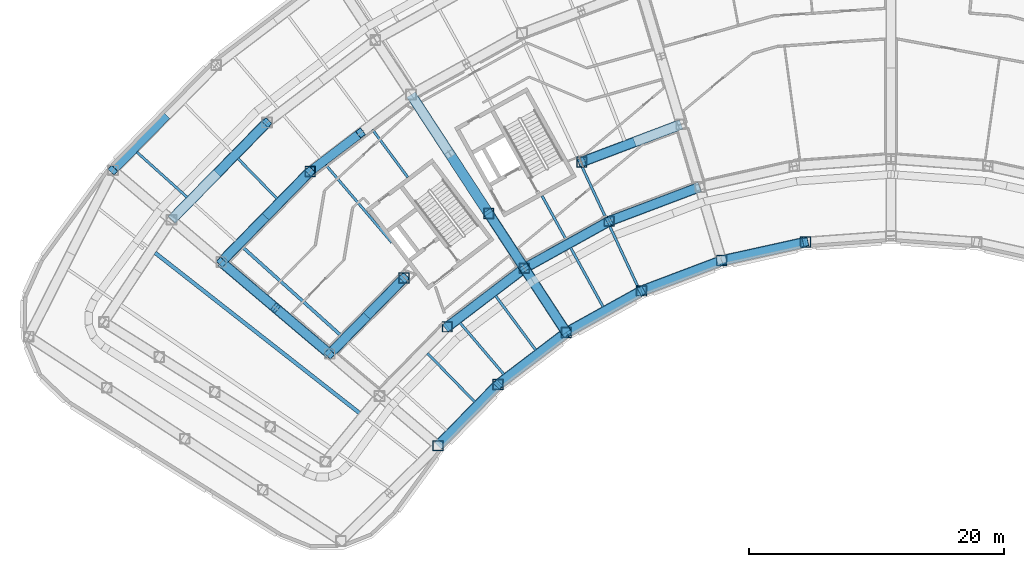
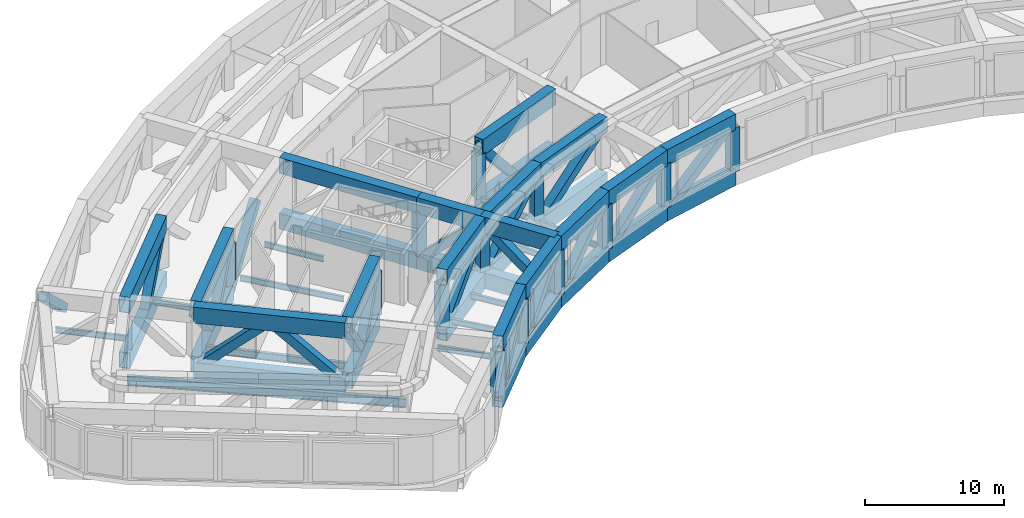
# One storey, part 2 of 30: 45 beams, 33 members.
"""IFC4 building model written with IfcOpenShell, lengths in metres."""

from ifc_helpers import new_model, si_unit, direction, frame, origin, origin_2d, place, context, subcontext, project, spatial, hollow_rectangle, i_section, extrude, material, material_profile, profile_set, type_object, element, save


model = new_model("IFC4")

# Units and contexts
model_context = context("Model", 3, precision=1e-05, world=origin(), true_north=direction((0.0, 1.0)))
body_context = subcontext(model_context, "Body", "Model", "MODEL_VIEW")
ifc_project = project(units=[si_unit("LENGTHUNIT", "METRE"), si_unit("AREAUNIT", "SQUARE_METRE"), si_unit("VOLUMEUNIT", "CUBIC_METRE"), si_unit("PLANEANGLEUNIT", "RADIAN"), si_unit("MASSUNIT", "GRAM", prefix="KILO")], contexts=[model_context])

# Site, building, storey
site_placement = place(None, origin())
site = spatial("IfcSite", under=ifc_project, at=site_placement, CompositionType="ELEMENT")
building_placement = place(site_placement, origin())
building = spatial("IfcBuilding", under=site, at=building_placement, Name="Tuul Gate Civic Tower", CompositionType="ELEMENT")
storey_placement = place(building_placement, frame((0.0, 0.0, 26.699951171875)))
storey = spatial("IfcBuildingStorey", under=building, at=storey_placement, Name="Plant and refuge floor 1", CompositionType="ELEMENT", Elevation=26.699951171875)

# Beams
ifc_material_1 = material(Name="Steel S355", Category="steel")
ifc_material_profile_1 = material_profile(ifc_material_1, i_section(OverallWidth=0.199951171875, OverallDepth=0.5, WebThickness=0.010009765625, FlangeThickness=0.01611328125, at=origin_2d()), Name="PG500x200x10x16")
ifc_profile_set_1 = profile_set([ifc_material_profile_1], Name="Steel S355")
beam_type_1 = type_object("IfcBeamType", Name="STR-FLOOR BEAM-PG500x200x10x16", PredefinedType="BEAM", material=ifc_profile_set_1)
beam_1_placement = place(storey_placement, frame((-19.80224609375, -17.518310546875, -0.64990234375), z_axis=(-0.42248795167, 0.906368540216, 0.0), x_axis=(-0.906368540216, -0.42248795167, 0.0)))
element("IfcBeam", 1, at=beam_1_placement, inside=storey, type_object=beam_type_1, Name="Floor beam", PredefinedType="BEAM", context=body_context, shape_type="SweptSolid", body=[
    extrude(i_section(OverallWidth=0.199951171875, OverallDepth=0.5, WebThickness=0.010009765625, FlangeThickness=0.01611328125, at=origin_2d()), origin(), (0.0, 0.0, 1.0), 5.31298828125),
])
beam_2_placement = place(storey_placement, frame((-22.34326171875, -12.06689453125, -0.64990234375), z_axis=(-0.422527951909, 0.906349893725, 0.0), x_axis=(-0.906349893725, -0.422527951909, 0.0)))
element("IfcBeam", 2, at=beam_2_placement, inside=storey, type_object=beam_type_1, Name="Floor beam", PredefinedType="BEAM", context=body_context, shape_type="SweptSolid", body=[
    extrude(i_section(OverallWidth=0.199951171875, OverallDepth=0.5, WebThickness=0.010009765625, FlangeThickness=0.01611328125, at=origin_2d()), origin(), (0.0, 0.0, 1.0), 4.44921875),
])
beam_3_placement = place(storey_placement, frame((-22.551025390625, -19.042236328125, -0.64990234375), z_axis=(-0.482350167073, 0.875978490789, 0.0), x_axis=(-0.875978490789, -0.482350167073, 0.0)))
element("IfcBeam", 3, at=beam_3_placement, inside=storey, type_object=beam_type_1, Name="Floor beam", PredefinedType="BEAM", context=body_context, shape_type="SweptSolid", body=[
    extrude(i_section(OverallWidth=0.199951171875, OverallDepth=0.5, WebThickness=0.010009765625, FlangeThickness=0.01611328125, at=origin_2d()), origin(), (0.0, 0.0, 1.0), 5.2998046875),
])
beam_4_placement = place(storey_placement, frame((-25.44482421875, -13.786376953125, -0.64990234375), z_axis=(-0.482326547093, 0.875991496517, 0.0), x_axis=(-0.875991496517, -0.482326547093, 0.0)))
element("IfcBeam", 4, at=beam_4_placement, inside=storey, type_object=beam_type_1, Name="Floor beam", PredefinedType="BEAM", context=body_context, shape_type="SweptSolid", body=[
    extrude(i_section(OverallWidth=0.199951171875, OverallDepth=0.5, WebThickness=0.010009765625, FlangeThickness=0.01611328125, at=origin_2d()), origin(), (0.0, 0.0, 1.0), 3.929443359375),
])
beam_5_placement = place(storey_placement, frame((-27.8310546875, -22.42529296875, -0.64990234375), z_axis=(-0.595176880251, 0.803594724481, 0.0), x_axis=(-0.803594724481, -0.595176880251, 0.0)))
element("IfcBeam", 5, at=beam_5_placement, inside=storey, type_object=beam_type_1, Name="Floor beam", PredefinedType="BEAM", context=body_context, shape_type="SweptSolid", body=[
    extrude(i_section(OverallWidth=0.199951171875, OverallDepth=0.5, WebThickness=0.010009765625, FlangeThickness=0.01611328125, at=origin_2d()), origin(), (0.0, 0.0, 1.0), 5.300537109375),
])
beam_6_placement = place(storey_placement, frame((-37.86181640625, -8.882568359375, -0.64990234375), z_axis=(-0.595199920829, 0.803577659125, 0.0), x_axis=(-0.803577659125, -0.595199920829, 0.0)))
element("IfcBeam", 6, at=beam_6_placement, inside=storey, type_object=beam_type_1, Name="Floor beam", PredefinedType="BEAM", context=body_context, shape_type="SweptSolid", body=[
    extrude(i_section(OverallWidth=0.199951171875, OverallDepth=0.5, WebThickness=0.010009765625, FlangeThickness=0.01611328125, at=origin_2d()), origin(), (0.0, 0.0, 1.0), 4.64892578125),
])
beam_7_placement = place(storey_placement, frame((-30.329345703125, -24.327392578125, -0.64990234375), z_axis=(-0.647740544414, 0.761861002495, 0.0), x_axis=(-0.761861002495, -0.647740544414, 0.0)))
element("IfcBeam", 7, at=beam_7_placement, inside=storey, type_object=beam_type_1, Name="Floor beam", PredefinedType="BEAM", context=body_context, shape_type="SweptSolid", body=[
    extrude(i_section(OverallWidth=0.199951171875, OverallDepth=0.5, WebThickness=0.010009765625, FlangeThickness=0.01611328125, at=origin_2d()), origin(), (0.0, 0.0, 1.0), 5.3076171875),
])
beam_8_placement = place(storey_placement, frame((-39.107177734375, -14.003173828125, -0.64990234375), z_axis=(-0.647742551465, 0.761859296079, 0.0), x_axis=(-0.761859296079, -0.647742551465, 0.0)))
element("IfcBeam", 8, at=beam_8_placement, inside=storey, type_object=beam_type_1, Name="Floor beam", PredefinedType="BEAM", context=body_context, shape_type="SweptSolid", body=[
    extrude(i_section(OverallWidth=0.199951171875, OverallDepth=0.5, WebThickness=0.010009765625, FlangeThickness=0.01611328125, at=origin_2d()), origin(), (0.0, 0.0, 1.0), 7.97998046875),
])
beam_9_placement = place(storey_placement, frame((-32.614990234375, -26.480712890625, -0.64990234375), z_axis=(-0.697369665281, 0.716711622583, 0.0), x_axis=(-0.716711622583, -0.697369665281, 0.0)))
element("IfcBeam", 9, at=beam_9_placement, inside=storey, type_object=beam_type_1, Name="Floor beam", PredefinedType="BEAM", context=body_context, shape_type="SweptSolid", body=[
    extrude(i_section(OverallWidth=0.199951171875, OverallDepth=0.5, WebThickness=0.010009765625, FlangeThickness=0.01611328125, at=origin_2d()), origin(), (0.0, 0.0, 1.0), 5.30126953125),
])
beam_10_placement = place(storey_placement, frame((-48.100830078125, -10.5654296875, -0.64990234375), z_axis=(-0.69739038028, 0.716691466039, 0.0), x_axis=(-0.716691466039, -0.69739038028, 0.0)))
element("IfcBeam", 10, at=beam_10_placement, inside=storey, type_object=beam_type_1, Name="Floor beam", PredefinedType="BEAM", context=body_context, shape_type="SweptSolid", body=[
    extrude(i_section(OverallWidth=0.199951171875, OverallDepth=0.5, WebThickness=0.010009765625, FlangeThickness=0.01611328125, at=origin_2d()), origin(), (0.0, 0.0, 1.0), 4.40185546875),
])
beam_11_placement = place(storey_placement, frame((-55.139404296875, -10.45947265625, -0.64990234375), z_axis=(-0.74386143975, 0.668333867504, 0.0), x_axis=(-0.668333867504, -0.74386143975, 0.0)))
element("IfcBeam", 11, at=beam_11_placement, inside=storey, type_object=beam_type_1, Name="Floor beam", PredefinedType="BEAM", context=body_context, shape_type="SweptSolid", body=[
    extrude(i_section(OverallWidth=0.199951171875, OverallDepth=0.5, WebThickness=0.010009765625, FlangeThickness=0.01611328125, at=origin_2d()), origin(), (0.0, 0.0, 1.0), 5.304443359375),
])
ifc_material_2 = material(Name="Steel S355", Category="steel")
ifc_material_profile_2 = material_profile(ifc_material_2, i_section(OverallWidth=0.25, OverallDepth=0.64990234375, WebThickness=0.011962890625, FlangeThickness=0.02001953125, at=origin_2d()), Name="PG650x250x12x20")
ifc_profile_set_2 = profile_set([ifc_material_profile_2], Name="Steel S355")
beam_type_2 = type_object("IfcBeamType", Name="STR-FLOOR BEAM-PG650x250x12x20", PredefinedType="BEAM", material=ifc_profile_set_2)
beam_12_placement = place(storey_placement, frame((-43.076904296875, -21.297119140625, -0.724853515625), z_axis=(-0.743857142239, 0.668338650641, 0.0), x_axis=(-0.668338650641, -0.743857142239, 0.0)))
element("IfcBeam", 12, at=beam_12_placement, inside=storey, type_object=beam_type_2, Name="Floor beam", PredefinedType="BEAM", context=body_context, shape_type="SweptSolid", body=[
    extrude(i_section(OverallWidth=0.25, OverallDepth=0.64990234375, WebThickness=0.011962890625, FlangeThickness=0.02001953125, at=origin_2d()), origin(), (0.0, 0.0, 1.0), 10.409912109375),
])
ifc_material_3 = material(Name="Steel S355", Category="steel")
ifc_material_profile_3 = material_profile(ifc_material_3, i_section(OverallWidth=0.300048828125, OverallDepth=0.800048828125, WebThickness=0.013916015625, FlangeThickness=0.02490234375, at=origin_2d()), Name="PG800x300x14x25")
ifc_profile_set_3 = profile_set([ifc_material_profile_3], Name="Steel S355")
beam_type_3 = type_object("IfcBeamType", Name="STR-FLOOR BEAM-PG800x300x14x25", PredefinedType="BEAM", material=ifc_profile_set_3)
beam_13_placement = place(storey_placement, frame((-41.6318359375, -27.364013671875, -0.800048828125), z_axis=(-0.787004631103, 0.616947088997, 0.0), x_axis=(-0.616947088997, -0.787004631103, 0.0)))
element("IfcBeam", 13, at=beam_13_placement, inside=storey, type_object=beam_type_3, Name="Floor beam", PredefinedType="BEAM", context=body_context, shape_type="SweptSolid", body=[
    extrude(i_section(OverallWidth=0.300048828125, OverallDepth=0.800048828125, WebThickness=0.013916015625, FlangeThickness=0.02490234375, at=origin_2d()), origin(), (0.0, 0.0, 1.0), 20.365966796875),
])
ifc_material_4 = material(Name="Steel S460", Category="steel")
ifc_material_profile_4 = material_profile(ifc_material_4, hollow_rectangle(XDim=0.800048828125, YDim=1.39990234375, WallThickness=0.0400390625, at=origin_2d()), Name="BOX1400x800x40")
ifc_profile_set_4 = profile_set([ifc_material_profile_4], Name="Steel S460")
beam_type_4 = type_object("IfcBeamType", Name="STR-TRANSFER TRUSS CHORD-BOX1400x800x40", PredefinedType="BEAM", material=ifc_profile_set_4)
for number, where, z_axis, x_axis, name in (
    (14, (-52.471435546875, -15.52392578125, -1.099853515625), (0.762835995983, -0.646592022246, 0.0), (0.646592022246, 0.762835995983, 0.0), "Radial truss bottom chord"),
    (15, (-52.471435546875, -15.52392578125, 3.800048828125), (0.762835995983, -0.646592022246, 0.0), (0.646592022246, 0.762835995983, 0.0), "Radial truss top chord"),
    (16, (-37.606689453125, -2.40576171875, -1.099853515625), (0.546716714598, -0.837317642224, 0.0), (0.837317642224, 0.546716714598, 0.0), "Radial truss bottom chord"),
):
    element("IfcBeam", number, at=place(storey_placement, frame(where, z_axis=z_axis, x_axis=x_axis)), inside=storey, type_object=beam_type_4, Name=name, PredefinedType="BEAM", context=body_context, shape_type="SweptSolid", body=[
        extrude(hollow_rectangle(XDim=0.800048828125, YDim=1.39990234375, WallThickness=0.0400390625, at=origin_2d()), origin(), (0.0, 0.0, 1.0), 11.129150390625),
    ])
beam_14_placement = place(storey_placement, frame((-31.522216796875, -11.724365234375, -1.099853515625), z_axis=(0.546697363807, -0.837330276776, 0.0), x_axis=(0.837330276776, 0.546697363807, 0.0)))
element("IfcBeam", 17, at=beam_14_placement, inside=storey, type_object=beam_type_4, Name="Radial truss bottom chord", PredefinedType="BEAM", context=body_context, shape_type="SweptSolid", body=[
    extrude(hollow_rectangle(XDim=0.800048828125, YDim=1.39990234375, WallThickness=0.0400390625, at=origin_2d()), origin(), (0.0, 0.0, 1.0), 5.11328125),
])
beam_15_placement = place(storey_placement, frame((-28.726806640625, -16.005859375, -1.099853515625), z_axis=(0.546704708955, -0.837325481045, 0.0), x_axis=(0.837325481045, 0.546704708955, 0.0)))
element("IfcBeam", 18, at=beam_15_placement, inside=storey, type_object=beam_type_4, Name="Radial truss bottom chord", PredefinedType="BEAM", context=body_context, shape_type="SweptSolid", body=[
    extrude(hollow_rectangle(XDim=0.800048828125, YDim=1.39990234375, WallThickness=0.0400390625, at=origin_2d()), origin(), (0.0, 0.0, 1.0), 6.015625),
])
beam_16_placement = place(storey_placement, frame((-37.606689453125, -2.40576171875, 3.800048828125), z_axis=(0.546716714598, -0.837317642224, 0.0), x_axis=(0.837317642224, 0.546716714598, 0.0)))
element("IfcBeam", 19, at=beam_16_placement, inside=storey, type_object=beam_type_4, Name="Radial truss top chord", PredefinedType="BEAM", context=body_context, shape_type="SweptSolid", body=[
    extrude(hollow_rectangle(XDim=0.800048828125, YDim=1.39990234375, WallThickness=0.0400390625, at=origin_2d()), origin(), (0.0, 0.0, 1.0), 11.129150390625),
])
beam_17_placement = place(storey_placement, frame((-31.522216796875, -11.724365234375, 3.800048828125), z_axis=(0.546697363807, -0.837330276776, 0.0), x_axis=(0.837330276776, 0.546697363807, 0.0)))
element("IfcBeam", 20, at=beam_17_placement, inside=storey, type_object=beam_type_4, Name="Radial truss top chord", PredefinedType="BEAM", context=body_context, shape_type="SweptSolid", body=[
    extrude(hollow_rectangle(XDim=0.800048828125, YDim=1.39990234375, WallThickness=0.0400390625, at=origin_2d()), origin(), (0.0, 0.0, 1.0), 5.11328125),
])
beam_18_placement = place(storey_placement, frame((-28.726806640625, -16.005859375, 3.800048828125), z_axis=(0.546704708955, -0.837325481045, 0.0), x_axis=(0.837325481045, 0.546704708955, 0.0)))
element("IfcBeam", 21, at=beam_18_placement, inside=storey, type_object=beam_type_4, Name="Radial truss top chord", PredefinedType="BEAM", context=body_context, shape_type="SweptSolid", body=[
    extrude(hollow_rectangle(XDim=0.800048828125, YDim=1.39990234375, WallThickness=0.0400390625, at=origin_2d()), origin(), (0.0, 0.0, 1.0), 6.015625),
])
for number, where, z_axis, x_axis, name in (
    (22, (-48.89794921875, -4.592041015625, -1.099853515625), (-0.700006025331, -0.714136936798, 0.0), (0.714136936798, -0.700006025331, 0.0), "Belt truss bottom chord"),
    (23, (-48.89794921875, -4.592041015625, 3.800048828125), (-0.700006025331, -0.714136936798, 0.0), (0.714136936798, -0.700006025331, 0.0), "Belt truss top chord"),
):
    element("IfcBeam", number, at=place(storey_placement, frame(where, z_axis=z_axis, x_axis=x_axis)), inside=storey, type_object=beam_type_4, Name=name, PredefinedType="BEAM", context=body_context, shape_type="SweptSolid", body=[
        extrude(hollow_rectangle(XDim=0.800048828125, YDim=1.39990234375, WallThickness=0.0400390625, at=origin_2d()), origin(), (0.0, 0.0, 1.0), 10.67724609375),
    ])
for number, where, z_axis, x_axis, name in (
    (24, (-52.190673828125, -15.237548828125, -1.099853515625), (0.700019713808, 0.714123518924, 0.0), (-0.714123518924, 0.700019713808, 0.0), "Belt truss bottom chord"),
    (25, (-52.190673828125, -15.237548828125, 3.800048828125), (0.700019713808, 0.714123518924, 0.0), (-0.714123518924, 0.700019713808, 0.0), "Belt truss top chord"),
):
    element("IfcBeam", number, at=place(storey_placement, frame(where, z_axis=z_axis, x_axis=x_axis)), inside=storey, type_object=beam_type_4, Name=name, PredefinedType="BEAM", context=body_context, shape_type="SweptSolid", body=[
        extrude(hollow_rectangle(XDim=0.800048828125, YDim=1.39990234375, WallThickness=0.0400390625, at=origin_2d()), origin(), (0.0, 0.0, 1.0), 9.537841796875),
    ])
for number, where, z_axis, x_axis, name in (
    (26, (-43.700927734375, -22.43359375, -1.099853515625), (0.700021234992, 0.71412202778, 0.0), (-0.71412202778, 0.700021234992, 0.0), "Belt truss bottom chord"),
    (27, (-43.700927734375, -22.43359375, 3.800048828125), (0.700021234992, 0.71412202778, 0.0), (-0.71412202778, 0.700021234992, 0.0), "Belt truss top chord"),
):
    element("IfcBeam", number, at=place(storey_placement, frame(where, z_axis=z_axis, x_axis=x_axis)), inside=storey, type_object=beam_type_4, Name=name, PredefinedType="BEAM", context=body_context, shape_type="SweptSolid", body=[
        extrude(hollow_rectangle(XDim=0.800048828125, YDim=1.39990234375, WallThickness=0.0400390625, at=origin_2d()), origin(), (0.0, 0.0, 1.0), 7.9296875),
    ])
for number, where, z_axis, x_axis, name in (
    (28, (-24.236083984375, -7.68505859375, -1.099853515625), (0.935376677386, 0.353653038163, 0.0), (-0.353653038163, 0.935376677386, 0.0), "Belt truss bottom chord"),
    (29, (-24.236083984375, -7.68505859375, 3.800048828125), (0.935376677386, 0.353653038163, 0.0), (-0.353653038163, 0.935376677386, 0.0), "Belt truss top chord"),
):
    element("IfcBeam", number, at=place(storey_placement, frame(where, z_axis=z_axis, x_axis=x_axis)), inside=storey, type_object=beam_type_4, Name=name, PredefinedType="BEAM", context=body_context, shape_type="SweptSolid", body=[
        extrude(hollow_rectangle(XDim=0.800048828125, YDim=1.39990234375, WallThickness=0.0400390625, at=origin_2d()), origin(), (0.0, 0.0, 1.0), 8.330322265625),
    ])
for number, where, z_axis, x_axis, name in (
    (30, (-28.376220703125, -15.8115234375, -1.099853515625), (0.874598911191, 0.484847135232, 0.0), (-0.484847135232, 0.874598911191, 0.0), "Belt truss bottom chord"),
    (31, (-28.376220703125, -15.8115234375, 3.800048828125), (0.874598911191, 0.484847135232, 0.0), (-0.484847135232, 0.874598911191, 0.0), "Belt truss top chord"),
):
    element("IfcBeam", number, at=place(storey_placement, frame(where, z_axis=z_axis, x_axis=x_axis)), inside=storey, type_object=beam_type_4, Name=name, PredefinedType="BEAM", context=body_context, shape_type="SweptSolid", body=[
        extrude(hollow_rectangle(XDim=0.800048828125, YDim=1.39990234375, WallThickness=0.0400390625, at=origin_2d()), origin(), (0.0, 0.0, 1.0), 7.191162109375),
    ])
for number, where, z_axis, x_axis, name in (
    (32, (-22.0869140625, -12.324951171875, -1.099853515625), (0.935362186019, 0.353691363996, 0.0), (-0.353691363996, 0.935362186019, 0.0), "Belt truss bottom chord"),
    (33, (-22.0869140625, -12.324951171875, 3.800048828125), (0.935362186019, 0.353691363996, 0.0), (-0.353691363996, 0.935362186019, 0.0), "Belt truss top chord"),
    (34, (-34.76708984375, -20.60498046875, -1.099853515625), (0.795625835802, 0.605788353638, 0.0), (-0.605788353638, 0.795625835802, 0.0), "Belt truss bottom chord"),
    (35, (-34.76708984375, -20.60498046875, 3.800048828125), (0.795625835802, 0.605788353638, 0.0), (-0.605788353638, 0.795625835802, 0.0), "Belt truss top chord"),
):
    element("IfcBeam", number, at=place(storey_placement, frame(where, z_axis=z_axis, x_axis=x_axis)), inside=storey, type_object=beam_type_4, Name=name, PredefinedType="BEAM", context=body_context, shape_type="SweptSolid", body=[
        extrude(hollow_rectangle(XDim=0.800048828125, YDim=1.39990234375, WallThickness=0.0400390625, at=origin_2d()), origin(), (0.0, 0.0, 1.0), 7.591552734375),
    ])
for number, where, z_axis, x_axis, name in (
    (36, (-25.43798828125, -21.04296875, -1.099853515625), (0.874573189435, 0.484893530914, 0.0), (-0.484893530914, 0.874573189435, 0.0), "Belt truss bottom chord"),
    (37, (-25.43798828125, -21.04296875, 3.800048828125), (0.874573189435, 0.484893530914, 0.0), (-0.484893530914, 0.874573189435, 0.0), "Belt truss top chord"),
):
    element("IfcBeam", number, at=place(storey_placement, frame(where, z_axis=z_axis, x_axis=x_axis)), inside=storey, type_object=beam_type_4, Name=name, PredefinedType="BEAM", context=body_context, shape_type="SweptSolid", body=[
        extrude(hollow_rectangle(XDim=0.800048828125, YDim=1.39990234375, WallThickness=0.0400390625, at=origin_2d()), origin(), (0.0, 0.0, 1.0), 6.72314453125),
    ])
for number, where, z_axis, x_axis, name in (
    (38, (-35.491943359375, -29.916015625, -1.099853515625), (0.700008232447, 0.714134773349, 0.0), (-0.714134773349, 0.700008232447, 0.0), "Belt truss bottom chord"),
    (39, (-35.491943359375, -29.916015625, 3.800048828125), (0.700008232447, 0.714134773349, 0.0), (-0.714134773349, 0.700008232447, 0.0), "Belt truss top chord"),
):
    element("IfcBeam", number, at=place(storey_placement, frame(where, z_axis=z_axis, x_axis=x_axis)), inside=storey, type_object=beam_type_4, Name=name, PredefinedType="BEAM", context=body_context, shape_type="SweptSolid", body=[
        extrude(hollow_rectangle(XDim=0.800048828125, YDim=1.39990234375, WallThickness=0.0400390625, at=origin_2d()), origin(), (0.0, 0.0, 1.0), 6.722900390625),
    ])
for number, where, z_axis, x_axis, name in (
    (40, (-13.27001953125, -15.406005859375, -1.099853515625), (0.976559036133, 0.215249736228, 0.0), (-0.215249736228, 0.976559036133, 0.0), "Belt truss bottom chord"),
    (41, (-13.27001953125, -15.406005859375, 3.800048828125), (0.976559036133, 0.215249736228, 0.0), (-0.215249736228, 0.976559036133, 0.0), "Belt truss top chord"),
    (42, (-19.55810546875, -17.782958984375, -1.099853515625), (0.935400568997, 0.353589840804, 0.0), (-0.353589840804, 0.935400568997, 0.0), "Belt truss bottom chord"),
    (43, (-19.55810546875, -17.782958984375, 3.800048828125), (0.935400568997, 0.353589840804, 0.0), (-0.353589840804, 0.935400568997, 0.0), "Belt truss top chord"),
):
    element("IfcBeam", number, at=place(storey_placement, frame(where, z_axis=z_axis, x_axis=x_axis)), inside=storey, type_object=beam_type_4, Name=name, PredefinedType="BEAM", context=body_context, shape_type="SweptSolid", body=[
        extrude(hollow_rectangle(XDim=0.800048828125, YDim=1.39990234375, WallThickness=0.0400390625, at=origin_2d()), origin(), (0.0, 0.0, 1.0), 6.722412109375),
    ])
for number, where, z_axis, x_axis, name in (
    (44, (-30.785888671875, -25.114990234375, -1.099853515625), (0.795615946929, 0.605801341193, 0.0), (-0.605801341193, 0.795615946929, 0.0), "Belt truss bottom chord"),
    (45, (-30.785888671875, -25.114990234375, 3.800048828125), (0.795615946929, 0.605801341193, 0.0), (-0.605801341193, 0.795615946929, 0.0), "Belt truss top chord"),
):
    element("IfcBeam", number, at=place(storey_placement, frame(where, z_axis=z_axis, x_axis=x_axis)), inside=storey, type_object=beam_type_4, Name=name, PredefinedType="BEAM", context=body_context, shape_type="SweptSolid", body=[
        extrude(hollow_rectangle(XDim=0.800048828125, YDim=1.39990234375, WallThickness=0.0400390625, at=origin_2d()), origin(), (0.0, 0.0, 1.0), 6.7216796875),
    ])

# Members
ifc_material_5 = material(Name="Steel S355", Category="steel")
ifc_material_profile_5 = material_profile(ifc_material_5, hollow_rectangle(XDim=0.699951171875, YDim=0.699951171875, WallThickness=0.031982421875, at=origin_2d()), Name="BOX700x700x32")
ifc_profile_set_5 = profile_set([ifc_material_profile_5], Name="Steel S355")
member_type_1 = type_object("IfcMemberType", Name="STR-TRANSFER TRUSS DIAGONAL-BOX700x700x32", PredefinedType="BRACE", material=ifc_profile_set_5)
for number, where, z_axis, x_axis, name in (
    (46, (-52.47412109375, -15.521484375, -1.103271484375), (0.572487943389, -0.485283002213, 0.660876662046), (0.646617641668, 0.762814279811, 0.0), "Radial truss web"),
    (47, (-43.978759765625, -22.722412109375, -1.103271484375), (-0.572497078728, 0.485257862768, 0.660887207827), (-0.646592145429, -0.762835891571, 0.0), "Radial truss web"),
):
    element("IfcMember", number, at=place(storey_placement, frame(where, z_axis=z_axis, x_axis=x_axis)), inside=storey, type_object=member_type_1, Name=name, PredefinedType="BRACE", context=body_context, shape_type="SweptSolid", body=[
        extrude(hollow_rectangle(XDim=0.699951171875, YDim=0.699951171875, WallThickness=0.031982421875, at=origin_2d()), origin(), (0.0, 0.0, 1.0), 7.424560546875),
    ])
member_1_placement = place(storey_placement, frame((-31.5244140625, -11.72119140625, -1.103515625), z_axis=(0.394728924971, -0.604571737095, 0.691868550013), x_axis=(0.837329742896, 0.546698181506, 0.0)))
element("IfcMember", 48, at=member_1_placement, inside=storey, type_object=member_type_1, Name="Radial truss web", PredefinedType="BRACE", context=body_context, shape_type="SweptSolid", body=[
    extrude(hollow_rectangle(XDim=0.699951171875, YDim=0.699951171875, WallThickness=0.031982421875, at=origin_2d()), origin(), (0.0, 0.0, 1.0), 7.09228515625),
])
member_2_placement = place(storey_placement, frame((-25.435791015625, -21.046142578125, -1.10302734375), z_axis=(-0.423906795693, 0.649200577169, 0.631539103436), x_axis=(-0.837306478445, -0.546733811973, 0.0)))
element("IfcMember", 49, at=member_2_placement, inside=storey, type_object=member_type_1, Name="Radial truss web", PredefinedType="BRACE", context=body_context, shape_type="SweptSolid", body=[
    extrude(hollow_rectangle(XDim=0.699951171875, YDim=0.699951171875, WallThickness=0.031982421875, at=origin_2d()), origin(), (0.0, 0.0, 1.0), 7.768798828125),
])
member_3_placement = place(storey_placement, frame((-56.916748046875, -4.202392578125, -1.103271484375), z_axis=(-0.533710589686, -0.544464652002, 0.647079013086), x_axis=(0.714124166661, -0.70001905302, 0.0)))
element("IfcMember", 50, at=member_3_placement, inside=storey, type_object=member_type_1, Name="Belt truss web", PredefinedType="BRACE", context=body_context, shape_type="SweptSolid", body=[
    extrude(hollow_rectangle(XDim=0.699951171875, YDim=0.699951171875, WallThickness=0.031982421875, at=origin_2d()), origin(), (0.0, 0.0, 1.0), 7.58251953125),
])
member_4_placement = place(storey_placement, frame((-52.6376953125, -8.4072265625, -1.103271484375), z_axis=(0.515704401296, 0.52613422674, 0.676189134737), x_axis=(-0.714149827828, 0.69999287383, 0.0)))
element("IfcMember", 51, at=member_4_placement, inside=storey, type_object=member_type_1, Name="Belt truss web", PredefinedType="BRACE", context=body_context, shape_type="SweptSolid", body=[
    extrude(hollow_rectangle(XDim=0.699951171875, YDim=0.699951171875, WallThickness=0.031982421875, at=origin_2d()), origin(), (0.0, 0.0, 1.0), 7.25634765625),
])
for number, where, z_axis, x_axis, name in (
    (52, (-48.990234375, -11.97265625, -1.103515625), (-0.49845304071, -0.508513624894, 0.702110005272), (0.714135829635, -0.700007154843, 0.0), "Belt truss web"),
    (53, (-48.9951171875, -11.977783203125, -1.103515625), (0.49845304071, 0.508513624894, 0.702110005272), (-0.714135829635, 0.700007154843, 0.0), "Belt truss web"),
):
    element("IfcMember", number, at=place(storey_placement, frame(where, z_axis=z_axis, x_axis=x_axis)), inside=storey, type_object=member_type_1, Name=name, PredefinedType="BRACE", context=body_context, shape_type="SweptSolid", body=[
        extrude(hollow_rectangle(XDim=0.699951171875, YDim=0.699951171875, WallThickness=0.031982421875, at=origin_2d()), origin(), (0.0, 0.0, 1.0), 6.989013671875),
    ])
member_5_placement = place(storey_placement, frame((-45.516845703125, -8.428466796875, -1.103515625), z_axis=(0.566517758863, 0.431359763608, 0.702129890571), x_axis=(-0.605800769843, 0.795616381969, 0.0)))
element("IfcMember", 54, at=member_5_placement, inside=storey, type_object=member_type_1, Name="Belt truss web", PredefinedType="BRACE", context=body_context, shape_type="SweptSolid", body=[
    extrude(hollow_rectangle(XDim=0.699951171875, YDim=0.699951171875, WallThickness=0.031982421875, at=origin_2d()), origin(), (0.0, 0.0, 1.0), 6.98876953125),
])
for number, where, z_axis, x_axis, name in (
    (55, (-41.0634765625, -19.742919921875, -1.103759765625), (-0.453380182966, -0.462552395328, 0.761900053334), (0.714151990285, -0.699990667632, 0.0), "Belt truss web"),
    (56, (-41.068115234375, -19.74755859375, -1.103759765625), (0.453388131295, 0.462522602089, 0.761913410407), (-0.714123315499, 0.700019921331, 0.0), "Belt truss web"),
):
    element("IfcMember", number, at=place(storey_placement, frame(where, z_axis=z_axis, x_axis=x_axis)), inside=storey, type_object=member_type_1, Name=name, PredefinedType="BRACE", context=body_context, shape_type="SweptSolid", body=[
        extrude(hollow_rectangle(XDim=0.699951171875, YDim=0.699951171875, WallThickness=0.031982421875, at=origin_2d()), origin(), (0.0, 0.0, 1.0), 6.44140625),
    ])
member_6_placement = place(storey_placement, frame((-20.3369140625, -6.2109375, -1.103759765625), z_axis=(-0.605811222187, -0.229012788866, 0.761935630883), x_axis=(0.353604282833, -0.935395109653, 0.0)))
element("IfcMember", 57, at=member_6_placement, inside=storey, type_object=member_type_1, Name="Belt truss web", PredefinedType="BRACE", context=body_context, shape_type="SweptSolid", body=[
    extrude(hollow_rectangle(XDim=0.699951171875, YDim=0.699951171875, WallThickness=0.031982421875, at=origin_2d()), origin(), (0.0, 0.0, 1.0), 6.441162109375),
])
member_7_placement = place(storey_placement, frame((-28.730712890625, -16.008056640625, -1.102783203125), z_axis=(0.734840178115, 0.407362922303, 0.54227793811), x_axis=(-0.484840903195, 0.874602365986, 0.0)))
element("IfcMember", 58, at=member_7_placement, inside=storey, type_object=member_type_1, Name="Belt truss web", PredefinedType="BRACE", context=body_context, shape_type="SweptSolid", body=[
    extrude(hollow_rectangle(XDim=0.699951171875, YDim=0.699951171875, WallThickness=0.031982421875, at=origin_2d()), origin(), (0.0, 0.0, 1.0), 9.046142578125),
])
for number, where, z_axis, x_axis, name in (
    (59, (-22.0908203125, -12.326416015625, -1.102783203125), (0.785870791002, 0.297161019642, 0.542312113322), (-0.353688546185, 0.935363251522, 0.0), "Belt truss web"),
    (60, (-34.770263671875, -20.607666015625, -1.102783203125), (0.668452556241, 0.508997729162, 0.542302952015), (-0.605817680951, 0.795603505176, 0.0), "Belt truss web"),
):
    element("IfcMember", number, at=place(storey_placement, frame(where, z_axis=z_axis, x_axis=x_axis)), inside=storey, type_object=member_type_1, Name=name, PredefinedType="BRACE", context=body_context, shape_type="SweptSolid", body=[
        extrude(hollow_rectangle(XDim=0.699951171875, YDim=0.699951171875, WallThickness=0.031982421875, at=origin_2d()), origin(), (0.0, 0.0, 1.0), 9.045654296875),
    ])
member_8_placement = place(storey_placement, frame((-25.441650390625, -21.044921875, -1.102783203125), z_axis=(0.706798717154, 0.391855024037, 0.588969620241), x_axis=(-0.48487596973, 0.87458292573, 0.0)))
element("IfcMember", 61, at=member_8_placement, inside=storey, type_object=member_type_1, Name="Belt truss web", PredefinedType="BRACE", context=body_context, shape_type="SweptSolid", body=[
    extrude(hollow_rectangle(XDim=0.699951171875, YDim=0.699951171875, WallThickness=0.031982421875, at=origin_2d()), origin(), (0.0, 0.0, 1.0), 8.329345703125),
])
member_9_placement = place(storey_placement, frame((-35.494873046875, -29.9189453125, -1.102783203125), z_axis=(0.565693607327, 0.577125313988, 0.588996701675), x_axis=(-0.714144297076, 0.699998516394, 0.0)))
element("IfcMember", 62, at=member_9_placement, inside=storey, type_object=member_type_1, Name="Belt truss web", PredefinedType="BRACE", context=body_context, shape_type="SweptSolid", body=[
    extrude(hollow_rectangle(XDim=0.699951171875, YDim=0.699951171875, WallThickness=0.031982421875, at=origin_2d()), origin(), (0.0, 0.0, 1.0), 8.3291015625),
])
for number, where, z_axis, x_axis, name in (
    (63, (-13.27392578125, -15.406982421875, -1.102783203125), (0.789173978261, 0.173945412191, 0.589022432181), (-0.215247891438, 0.976559442754, 0.0), "Belt truss web"),
    (64, (-19.561767578125, -17.784423828125, -1.102783203125), (0.755907733399, 0.285748190374, 0.589025865549), (-0.353598782267, 0.935397188995, 0.0), "Belt truss web"),
):
    element("IfcMember", number, at=place(storey_placement, frame(where, z_axis=z_axis, x_axis=x_axis)), inside=storey, type_object=member_type_1, Name=name, PredefinedType="BRACE", context=body_context, shape_type="SweptSolid", body=[
        extrude(hollow_rectangle(XDim=0.699951171875, YDim=0.699951171875, WallThickness=0.031982421875, at=origin_2d()), origin(), (0.0, 0.0, 1.0), 8.32861328125),
    ])
member_10_placement = place(storey_placement, frame((-30.789306640625, -25.117431640625, -1.102783203125), z_axis=(0.64293827136, 0.4895324728, 0.589057159616), x_axis=(-0.605788517004, 0.795625711416, 0.0)))
element("IfcMember", 65, at=member_10_placement, inside=storey, type_object=member_type_1, Name="Belt truss web", PredefinedType="BRACE", context=body_context, shape_type="SweptSolid", body=[
    extrude(hollow_rectangle(XDim=0.699951171875, YDim=0.699951171875, WallThickness=0.031982421875, at=origin_2d()), origin(), (0.0, 0.0, 1.0), 8.328125),
])
ifc_material_6 = material(Name="Steel S355", Category="steel")
ifc_material_profile_6 = material_profile(ifc_material_6, hollow_rectangle(XDim=0.800048828125, YDim=0.800048828125, WallThickness=0.034912109375, at=origin_2d()), Name="BOX800x800x35")
ifc_profile_set_6 = profile_set([ifc_material_profile_6], Name="Steel S355")
member_type_2 = type_object("IfcMemberType", Name="STR-TRUSS POST-BOX800x800x35", PredefinedType="POST", material=ifc_profile_set_6)
for number, where, z_axis, x_axis, name in (
    (66, (-13.27001953125, -15.406005859375, -0.594970703125), (0.0, 0.0, 1.0), (1.0, 0.0, 0.0), "Radial truss post"),
    (67, (-35.491943359375, -29.916015625, -0.594970703125), (0.0, 0.0, 1.0), (1.0, 0.0, 0.0), "Radial truss post"),
    (68, (-31.522216796875, -11.724365234375, -0.594970703125), (0.0, 0.0, 1.0), (1.0, 0.0, 0.0), "Radial truss post"),
    (69, (-28.726806640625, -16.005859375, -0.594970703125), (0.0, 0.0, 1.0), (1.0, 0.0, 0.0), "Radial truss post"),
    (70, (-25.43798828125, -21.04296875, -0.594970703125), (0.0, 0.0, 1.0), (1.0, 0.0, 0.0), "Radial truss post"),
    (71, (-45.513916015625, -8.42626953125, -0.594970703125), (0.0, 0.0, 1.0), (1.0, 0.0, 0.0), "Belt truss post"),
    (72, (-38.14990234375, -16.770751953125, -0.594970703125), (0.0, 0.0, 1.0), (1.0, 0.0, 0.0), "Belt truss post"),
    (73, (-24.236083984375, -7.68505859375, -0.594970703125), (0.0, 0.0, 1.0), (1.0, 0.0, 0.0), "Belt truss post"),
    (74, (-22.0869140625, -12.324951171875, -0.594970703125), (0.0, 0.0, 1.0), (1.0, 0.0, 0.0), "Belt truss post"),
    (75, (-34.76708984375, -20.60498046875, -0.594970703125), (0.0, 0.0, 1.0), (1.0, 0.0, 0.0), "Belt truss post"),
    (76, (-19.55810546875, -17.782958984375, -0.594970703125), (0.0, 0.0, 1.0), (1.0, 0.0, 0.0), "Belt truss post"),
    (77, (-30.785888671875, -25.114990234375, -0.594970703125), (0.0, 0.0, 1.0), (1.0, 0.0, 0.0), "Belt truss post"),
    (78, (-6.705078125, -13.958984375, -0.594970703125), (0.0, 0.0, 1.0), (1.0, 0.0, 0.0), "Belt truss post"),
):
    element("IfcMember", number, at=place(storey_placement, frame(where, z_axis=z_axis, x_axis=x_axis)), inside=storey, type_object=member_type_2, Name=name, PredefinedType="POST", context=body_context, shape_type="SweptSolid", body=[
        extrude(hollow_rectangle(XDim=0.800048828125, YDim=0.800048828125, WallThickness=0.034912109375, at=origin_2d()), origin(), (0.0, 0.0, 1.0), 3.89013671875),
    ])

save(model, "model.ifc")
